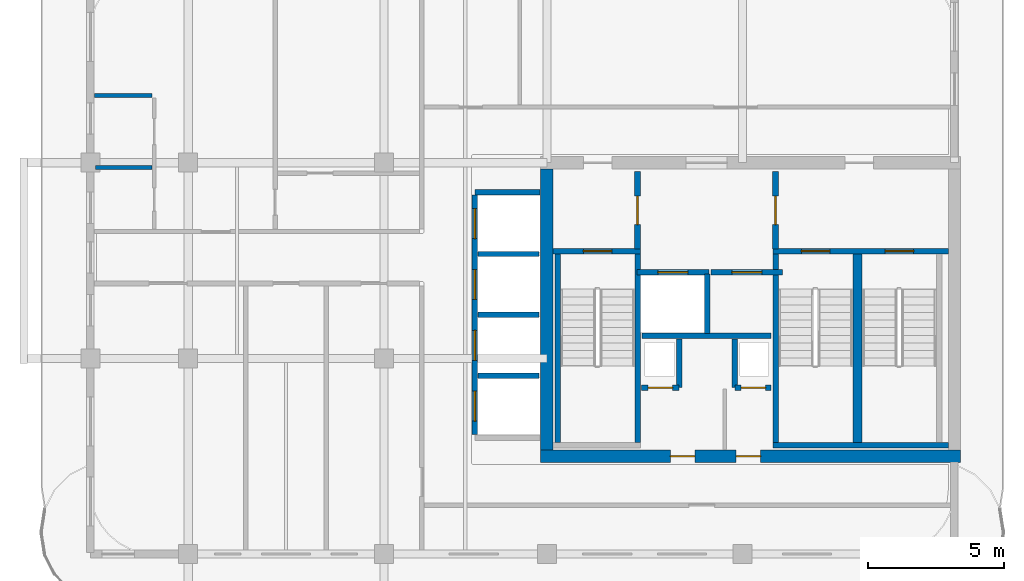
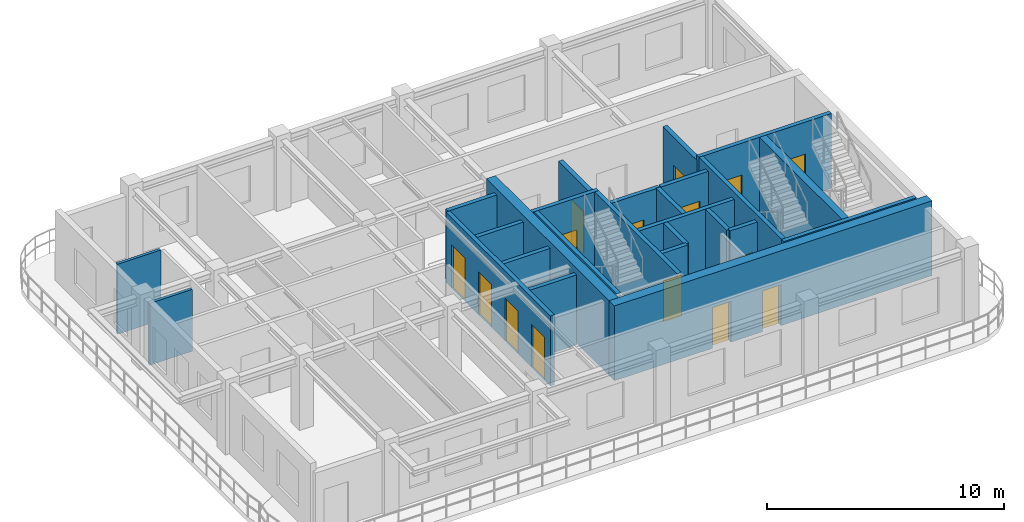
# One storey, part 3 of 7: 26 walls, 15 doors, 15 openings.
"""IFC4 building model written with IfcOpenShell, lengths in metres."""

from ifc_helpers import new_model, si_unit, derived_unit, direction, frame, frame_2d, origin, place, context, subcontext, project, spatial, rectangle, extrude, source, transform, mapped, material, layer, layer_set, type_object, type_shapes, element, fill, save


model = new_model("IFC4")

# Units and contexts
model_context = context("Model", 3, precision=1e-05, world=origin(), true_north=direction((0.0, 1.0)))
body_context = subcontext(model_context, "Body", "Model", "MODEL_VIEW")
ifc_project = project(units=[si_unit("LENGTHUNIT", "METRE"), si_unit("AREAUNIT", "SQUARE_METRE"), si_unit("VOLUMEUNIT", "CUBIC_METRE"), si_unit("PLANEANGLEUNIT", "RADIAN"), si_unit("MASSUNIT", "GRAM", prefix="KILO"), si_unit("THERMODYNAMICTEMPERATUREUNIT", "KELVIN"), si_unit("POWERUNIT", "WATT"), derived_unit("THERMALTRANSMITTANCEUNIT", [(si_unit("POWERUNIT", "WATT"), 1), (si_unit("AREAUNIT", "SQUARE_METRE"), -1), (si_unit("THERMODYNAMICTEMPERATUREUNIT", "KELVIN"), -1)])], contexts=[model_context])

# Site, building, storey
site_placement = place(None, origin())
site = spatial("IfcSite", under=ifc_project, at=site_placement, CompositionType="ELEMENT")
building_placement = place(site_placement, origin())
building = spatial("IfcBuilding", under=site, at=building_placement, Name="Zahravan Archway Hotel and Residences", CompositionType="ELEMENT")
storey_placement = place(building_placement, frame((0.0, 0.0, 275.050048828125)))
storey = spatial("IfcBuildingStorey", under=building, at=storey_placement, Name="L69", CompositionType="ELEMENT", Elevation=275.050048828125)

# Wall, openings, doors
ifc_material_1 = material(Name="Concrete C50/60", Category="concrete")
ifc_layer_1 = layer(ifc_material_1, 0.449951171875, Name="Concrete C50/60", Category="concrete")
ifc_layer_set_1 = layer_set([ifc_layer_1], Name="Concrete C50/60")
wall_type_1 = type_object("IfcWallType", Name="CW-CORE-450", PredefinedType="SHEAR", material=ifc_layer_set_1)
wall_1_placement = place(storey_placement, frame((34.574951171875, 3.60009765625, 0.0), z_axis=(0.0, 0.0, 1.0), x_axis=(1.0, 0.0, 0.0)))
wall_1 = element("IfcWall", 1, at=wall_1_placement, inside=storey, type_object=wall_type_1, Name="L69 Core A Shear S Wall 450 mm", PredefinedType="SHEAR", context=body_context, shape_type="SweptSolid", body=[
    extrude(rectangle(XDim=15.449951171875, YDim=0.449951171875, at=frame_2d((7.72509765625, 0.0))), origin(), (0.0, 0.0, 1.0), 3.849853515625),
])
opening_1_placement = place(wall_1_placement, frame((4.77490234375, 0.0, 0.0)))
opening_1 = element("IfcOpeningElement", 2, at=opening_1_placement, cuts=wall_1, Name="Opening FD-R1", PredefinedType="OPENING", context=body_context, shape_type="SweptSolid", body=[
    extrude(rectangle(XDim=0.89990234375, YDim=2.10009765625, at=frame_2d((0.449951171875, 1.050048828125))), frame((0.0, 0.23486328125, 0.0), z_axis=(0.0, -1.0, 0.0), x_axis=(1.0, 0.0, 0.0)), (0.0, 0.0, 1.0), 0.469970703125),
])
opening_2_placement = place(wall_1_placement, frame((7.195068359375, 0.0, 0.0)))
opening_2 = element("IfcOpeningElement", 3, at=opening_2_placement, cuts=wall_1, Name="Opening FD-R1", PredefinedType="OPENING", context=body_context, shape_type="SweptSolid", body=[
    extrude(rectangle(XDim=0.89990234375, YDim=2.10009765625, at=frame_2d((0.449951171875, 1.050048828125))), frame((0.0, 0.23486328125, 0.0), z_axis=(0.0, -1.0, 0.0), x_axis=(1.0, 0.0, 0.0)), (0.0, 0.0, 1.0), 0.469970703125),
])
ifc_material_2 = material(Name="Fire-Rated Painted Steel", Category="steel")
door_type_1 = type_object("IfcDoorType", Name="FD-RISER-900", OperationType="NOTDEFINED", PredefinedType="DOOR", material=ifc_material_2)
shared_shape_1 = source(origin(), body_context, "Body", "SweptSolid", [
    extrude(rectangle(XDim=0.89990234375, YDim=2.10009765625, at=frame_2d((0.449951171875, 1.050048828125))), frame((0.0, 0.02490234375, 0.0), z_axis=(0.0, -1.0, 0.0), x_axis=(1.0, 0.0, 0.0)), (0.0, 0.0, 1.0), 0.050048828125),
])
type_shapes(door_type_1, [shared_shape_1])
door_1_placement = place(opening_1_placement, origin())
door_1 = element("IfcDoor", 4, at=door_1_placement, inside=storey, type_object=door_type_1, Name="L69 Service Pantry Door", OperationType="SINGLE_SWING_LEFT", OverallHeight=2.10009765625, OverallWidth=0.89990234375, PredefinedType="DOOR", context=body_context, shape_type="MappedRepresentation", body=[
    mapped(shared_shape_1, transform((0.0, 0.0, 0.0), scale=1.0)),
])
fill(opening_1, door_1)
door_2_placement = place(opening_2_placement, origin())
door_2 = element("IfcDoor", 5, at=door_2_placement, inside=storey, type_object=door_type_1, Name="L69 Fibre ELV Riser Door", OperationType="SINGLE_SWING_RIGHT", OverallHeight=2.10009765625, OverallWidth=0.89990234375, PredefinedType="DOOR", context=body_context, shape_type="MappedRepresentation", body=[
    mapped(shared_shape_1, transform((0.0, 0.0, 0.0), scale=1.0)),
])
fill(opening_2, door_2)

# Wall
wall_2_placement = place(storey_placement, frame((34.800048828125, 3.824951171875, 0.0), z_axis=(0.0, 0.0, 1.0), x_axis=(0.0, 1.0, 0.0)))
element("IfcWall", 6, at=wall_2_placement, inside=storey, type_object=wall_type_1, Name="L69 Core A Shear W Wall 450 mm", PredefinedType="SHEAR", context=body_context, shape_type="SweptSolid", body=[
    extrude(rectangle(XDim=10.35009765625, YDim=0.449951171875, at=frame_2d((5.175048828125, 0.0))), origin(), (0.0, 0.0, 1.0), 3.849853515625),
])

# Wall, opening, door
ifc_material_3 = material(Name="Fire-Rated Gypsum & Concrete Block", Category="concrete")
ifc_layer_2 = layer(ifc_material_3, 0.219970703125, Name="Fire-Rated Gypsum & Concrete Block", Category="concrete")
ifc_layer_set_2 = layer_set([ifc_layer_2], Name="Fire-Rated Gypsum & Concrete Block")
wall_type_2 = type_object("IfcWallType", Name="PW-COMP-220", PredefinedType="PARTITIONING", material=ifc_layer_set_2)
wall_3_placement = place(storey_placement, frame((38.139892578125, 11.219970703125, 0.0), z_axis=(0.0, 0.0, 1.0), x_axis=(0.0, 1.0, 0.0)))
wall_3 = element("IfcWall", 7, at=wall_3_placement, inside=storey, type_object=wall_type_2, Name="L69 Partition CA-LOBW", PredefinedType="PARTITIONING", context=body_context, shape_type="SweptSolid", body=[
    extrude(rectangle(XDim=2.860107421875, YDim=0.219970703125, at=frame_2d((1.43017578125, 0.0))), origin(), (0.0, 0.0, 1.0), 3.599853515625),
])
opening_3_placement = place(wall_3_placement, frame((0.905029296875, 0.0, 0.0)))
opening_3 = element("IfcOpeningElement", 8, at=opening_3_placement, cuts=wall_3, Name="Opening FD-L2", PredefinedType="OPENING", context=body_context, shape_type="SweptSolid", body=[
    extrude(rectangle(XDim=1.050048828125, YDim=2.14990234375, at=frame_2d((0.52490234375, 1.074951171875))), frame((0.0, 0.1201171875, 0.0), z_axis=(0.0, -1.0, 0.0), x_axis=(1.0, 0.0, 0.0)), (0.0, 0.0, 1.0), 0.239990234375),
])
door_type_2 = type_object("IfcDoorType", Name="FD-LOBBY-1100", OperationType="NOTDEFINED", PredefinedType="DOOR", material=ifc_material_2)
shared_shape_2 = source(origin(), body_context, "Body", "SweptSolid", [
    extrude(rectangle(XDim=1.050048828125, YDim=2.14990234375, at=frame_2d((0.52490234375, 1.074951171875))), frame((0.0, 0.02490234375, 0.0), z_axis=(0.0, -1.0, 0.0), x_axis=(1.0, 0.0, 0.0)), (0.0, 0.0, 1.0), 0.050048828125),
])
type_shapes(door_type_2, [shared_shape_2])
door_3_placement = place(opening_3_placement, origin())
door_3 = element("IfcDoor", 9, at=door_3_placement, inside=storey, type_object=door_type_2, Name="L69 Core A West Stair to FSAE Lobby Door", OperationType="SINGLE_SWING_LEFT", OverallHeight=2.14990234375, OverallWidth=1.050048828125, PredefinedType="DOOR", context=body_context, shape_type="MappedRepresentation", body=[
    mapped(shared_shape_2, transform((0.0, 0.0, 0.0), scale=1.0)),
])
fill(opening_3, door_3)

wall_4_placement = place(storey_placement, frame((43.219970703125, 11.219970703125, 0.0), z_axis=(0.0, 0.0, 1.0), x_axis=(0.0, 1.0, 0.0)))
wall_4 = element("IfcWall", 10, at=wall_4_placement, inside=storey, type_object=wall_type_2, Name="L69 Partition CA-LOBE", PredefinedType="PARTITIONING", context=body_context, shape_type="SweptSolid", body=[
    extrude(rectangle(XDim=2.860107421875, YDim=0.219970703125, at=frame_2d((1.43017578125, 0.0))), origin(), (0.0, 0.0, 1.0), 3.599853515625),
])
opening_4_placement = place(wall_4_placement, frame((0.905029296875, 0.0, 0.0)))
opening_4 = element("IfcOpeningElement", 11, at=opening_4_placement, cuts=wall_4, Name="Opening FD-L2", PredefinedType="OPENING", context=body_context, shape_type="SweptSolid", body=[
    extrude(rectangle(XDim=1.050048828125, YDim=2.14990234375, at=frame_2d((0.52490234375, 1.074951171875))), frame((0.0, 0.1201171875, 0.0), z_axis=(0.0, -1.0, 0.0), x_axis=(1.0, 0.0, 0.0)), (0.0, 0.0, 1.0), 0.239990234375),
])
door_4_placement = place(opening_4_placement, origin())
door_4 = element("IfcDoor", 12, at=door_4_placement, inside=storey, type_object=door_type_2, Name="L69 Core A East Stair to FSAE Lobby Door", OperationType="SINGLE_SWING_RIGHT", OverallHeight=2.14990234375, OverallWidth=1.050048828125, PredefinedType="DOOR", context=body_context, shape_type="MappedRepresentation", body=[
    mapped(shared_shape_2, transform((0.0, 0.0, 0.0), scale=1.0)),
])
fill(opening_4, door_4)

# Walls
ifc_layer_3 = layer(ifc_material_3, 0.199951171875, Name="Fire-Rated Gypsum & Concrete Block", Category="concrete")
ifc_layer_set_3 = layer_set([ifc_layer_3], Name="Fire-Rated Gypsum & Concrete Block")
wall_type_3 = type_object("IfcWallType", Name="PW-SHAFT-200", PredefinedType="PARTITIONING", material=ifc_layer_set_3)
wall_5_placement = place(storey_placement, frame((38.300048828125, 8.030029296875, 0.0), z_axis=(0.0, 0.0, 1.0), x_axis=(1.0, 0.0, 0.0)))
element("IfcWall", 13, at=wall_5_placement, inside=storey, type_object=wall_type_3, Name="L69 Partition CA-FLS", PredefinedType="PARTITIONING", context=body_context, shape_type="SweptSolid", body=[
    extrude(rectangle(XDim=4.739990234375, YDim=0.199951171875, at=frame_2d((2.3701171875, 0.0))), origin(), (0.0, 0.0, 1.0), 3.599853515625),
])
wall_6_placement = place(storey_placement, frame((40.699951171875, 8.1201171875, 0.0), z_axis=(0.0, 0.0, 1.0), x_axis=(0.0, 1.0, 0.0)))
element("IfcWall", 14, at=wall_6_placement, inside=storey, type_object=wall_type_3, Name="L69 Partition CA-FLM", PredefinedType="PARTITIONING", context=body_context, shape_type="SweptSolid", body=[
    extrude(rectangle(XDim=2.179931640625, YDim=0.199951171875, at=frame_2d((1.08984375, 0.0))), origin(), (0.0, 0.0, 1.0), 3.599853515625),
])

# Wall, opening, door
wall_7_placement = place(storey_placement, frame((38.2900390625, 6.1201171875, 0.0), z_axis=(0.0, 0.0, 1.0), x_axis=(1.0, 0.0, 0.0)))
wall_7 = element("IfcWall", 15, at=wall_7_placement, inside=storey, type_object=wall_type_3, Name="L69 Partition CA-SMKS", PredefinedType="PARTITIONING", context=body_context, shape_type="SweptSolid", body=[
    extrude(rectangle(XDim=1.3798828125, YDim=0.199951171875, at=frame_2d((0.68994140625, 0.0))), origin(), (0.0, 0.0, 1.0), 3.599853515625),
])
opening_5_placement = place(wall_7_placement, frame((0.239990234375, 0.0, 0.0)))
opening_5 = element("IfcOpeningElement", 16, at=opening_5_placement, cuts=wall_7, Name="Opening FD-R1", PredefinedType="OPENING", context=body_context, shape_type="SweptSolid", body=[
    extrude(rectangle(XDim=0.89990234375, YDim=2.10009765625, at=frame_2d((0.449951171875, 1.050048828125))), frame((0.0, 0.10986328125, 0.0), z_axis=(0.0, -1.0, 0.0), x_axis=(1.0, 0.0, 0.0)), (0.0, 0.0, 1.0), 0.219970703125),
])
door_5_placement = place(opening_5_placement, origin())
door_5 = element("IfcDoor", 17, at=door_5_placement, inside=storey, type_object=door_type_1, Name="L69 Smoke Riser Access Door", OperationType="SINGLE_SWING_LEFT", OverallHeight=2.10009765625, OverallWidth=0.89990234375, PredefinedType="DOOR", context=body_context, shape_type="MappedRepresentation", body=[
    mapped(shared_shape_1, transform((0.0, 0.0, 0.0), scale=1.0)),
])
fill(opening_5, door_5)

# Wall
wall_8_placement = place(storey_placement, frame((39.679931640625, 6.1298828125, 0.0), z_axis=(0.0, 0.0, 1.0), x_axis=(0.0, 1.0, 0.0)))
element("IfcWall", 18, at=wall_8_placement, inside=storey, type_object=wall_type_3, Name="L69 Partition CA-SMKE", PredefinedType="PARTITIONING", context=body_context, shape_type="SweptSolid", body=[
    extrude(rectangle(XDim=1.7900390625, YDim=0.199951171875, at=frame_2d((0.89501953125, 0.0))), origin(), (0.0, 0.0, 1.0), 3.599853515625),
])

# Wall, opening, door
wall_9_placement = place(storey_placement, frame((41.72998046875, 6.1201171875, 0.0), z_axis=(0.0, 0.0, 1.0), x_axis=(1.0, 0.0, 0.0)))
wall_9 = element("IfcWall", 19, at=wall_9_placement, inside=storey, type_object=wall_type_3, Name="L69 Partition CA-MEPS", PredefinedType="PARTITIONING", context=body_context, shape_type="SweptSolid", body=[
    extrude(rectangle(XDim=1.320068359375, YDim=0.199951171875, at=frame_2d((0.66015625, 0.0))), origin(), (0.0, 0.0, 1.0), 3.599853515625),
])
opening_6_placement = place(wall_9_placement, frame((0.219970703125, 0.0, 0.0)))
opening_6 = element("IfcOpeningElement", 20, at=opening_6_placement, cuts=wall_9, Name="Opening FD-R1", PredefinedType="OPENING", context=body_context, shape_type="SweptSolid", body=[
    extrude(rectangle(XDim=0.89990234375, YDim=2.10009765625, at=frame_2d((0.449951171875, 1.050048828125))), frame((0.0, 0.10986328125, 0.0), z_axis=(0.0, -1.0, 0.0), x_axis=(1.0, 0.0, 0.0)), (0.0, 0.0, 1.0), 0.219970703125),
])
door_6_placement = place(opening_6_placement, origin())
door_6 = element("IfcDoor", 21, at=door_6_placement, inside=storey, type_object=door_type_1, Name="L69 MEP Riser Access Door", OperationType="SINGLE_SWING_RIGHT", OverallHeight=2.10009765625, OverallWidth=0.89990234375, PredefinedType="DOOR", context=body_context, shape_type="MappedRepresentation", body=[
    mapped(shared_shape_1, transform((0.0, 0.0, 0.0), scale=1.0)),
])
fill(opening_6, door_6)

# Walls
wall_10_placement = place(storey_placement, frame((41.719970703125, 6.1298828125, 0.0), z_axis=(0.0, 0.0, 1.0), x_axis=(0.0, 1.0, 0.0)))
element("IfcWall", 22, at=wall_10_placement, inside=storey, type_object=wall_type_3, Name="L69 Partition CA-MEPW", PredefinedType="PARTITIONING", context=body_context, shape_type="SweptSolid", body=[
    extrude(rectangle(XDim=1.7900390625, YDim=0.199951171875, at=frame_2d((0.89501953125, 0.0))), origin(), (0.0, 0.0, 1.0), 3.599853515625),
])
wall_11_placement = place(storey_placement, frame((32.159912109375, 13.320068359375, 0.0), z_axis=(0.0, 0.0, 1.0), x_axis=(1.0, 0.0, 0.0)))
element("IfcWall", 23, at=wall_11_placement, inside=storey, type_object=wall_type_3, Name="L69 Partition B3-N", PredefinedType="PARTITIONING", context=body_context, shape_type="SweptSolid", body=[
    extrude(rectangle(XDim=2.385009765625, YDim=0.199951171875, at=frame_2d((1.1923828125, 0.0))), origin(), (0.0, 0.0, 1.0), 3.599853515625),
])

# Wall, openings, doors
wall_12_placement = place(storey_placement, frame((32.14990234375, 4.389892578125, 0.0), z_axis=(0.0, 0.0, 1.0), x_axis=(0.0, 1.0, 0.0)))
wall_12 = element("IfcWall", 24, at=wall_12_placement, inside=storey, type_object=wall_type_3, Name="L69 Partition B3-W", PredefinedType="PARTITIONING", context=body_context, shape_type="SweptSolid", body=[
    extrude(rectangle(XDim=8.820068359375, YDim=0.199951171875, at=frame_2d((4.41015625, 0.0))), origin(), (0.0, 0.0, 1.0), 3.599853515625),
])
opening_7_placement = place(wall_12_placement, frame((0.5, 0.0, 0.0)))
opening_7 = element("IfcOpeningElement", 25, at=opening_7_placement, cuts=wall_12, Name="Opening LD", PredefinedType="OPENING", context=body_context, shape_type="SweptSolid", body=[
    extrude(rectangle(XDim=1.10009765625, YDim=2.199951171875, at=frame_2d((0.550048828125, 1.10009765625))), frame((0.0, 0.10986328125, 0.0), z_axis=(0.0, -1.0, 0.0), x_axis=(1.0, 0.0, 0.0)), (0.0, 0.0, 1.0), 0.219970703125),
])
opening_8_placement = place(wall_12_placement, frame((2.739990234375, 0.0, 0.0)))
opening_8 = element("IfcOpeningElement", 26, at=opening_8_placement, cuts=wall_12, Name="Opening LD", PredefinedType="OPENING", context=body_context, shape_type="SweptSolid", body=[
    extrude(rectangle(XDim=1.10009765625, YDim=2.199951171875, at=frame_2d((0.550048828125, 1.10009765625))), frame((0.0, 0.10986328125, 0.0), z_axis=(0.0, -1.0, 0.0), x_axis=(1.0, 0.0, 0.0)), (0.0, 0.0, 1.0), 0.219970703125),
])
opening_9_placement = place(wall_12_placement, frame((4.97998046875, 0.0, 0.0)))
opening_9 = element("IfcOpeningElement", 27, at=opening_9_placement, cuts=wall_12, Name="Opening LD", PredefinedType="OPENING", context=body_context, shape_type="SweptSolid", body=[
    extrude(rectangle(XDim=1.10009765625, YDim=2.199951171875, at=frame_2d((0.550048828125, 1.10009765625))), frame((0.0, 0.10986328125, 0.0), z_axis=(0.0, -1.0, 0.0), x_axis=(1.0, 0.0, 0.0)), (0.0, 0.0, 1.0), 0.219970703125),
])
opening_10_placement = place(wall_12_placement, frame((7.219970703125, 0.0, 0.0)))
opening_10 = element("IfcOpeningElement", 28, at=opening_10_placement, cuts=wall_12, Name="Opening LD", PredefinedType="OPENING", context=body_context, shape_type="SweptSolid", body=[
    extrude(rectangle(XDim=1.10009765625, YDim=2.199951171875, at=frame_2d((0.550048828125, 1.10009765625))), frame((0.0, 0.10986328125, 0.0), z_axis=(0.0, -1.0, 0.0), x_axis=(1.0, 0.0, 0.0)), (0.0, 0.0, 1.0), 0.219970703125),
])
ifc_material_4 = material(Name="Brushed Stainless Steel", Category="steel")
door_type_3 = type_object("IfcDoorType", Name="DR-LIFT-LD", OperationType="SLIDING_TO_LEFT", PredefinedType="DOOR", material=ifc_material_4)
shared_shape_3 = source(origin(), body_context, "Body", "SweptSolid", [
    extrude(rectangle(XDim=1.10009765625, YDim=2.199951171875, at=frame_2d((0.550048828125, 1.10009765625))), frame((0.0, 0.02490234375, 0.0), z_axis=(0.0, -1.0, 0.0), x_axis=(1.0, 0.0, 0.0)), (0.0, 0.0, 1.0), 0.050048828125),
])
type_shapes(door_type_3, [shared_shape_3])
door_7_placement = place(opening_7_placement, origin())
door_7 = element("IfcDoor", 29, at=door_7_placement, inside=storey, type_object=door_type_3, Name="L69 Lift LP-7 Sliding Landing Door", OperationType="SLIDING_TO_LEFT", OverallHeight=2.199951171875, OverallWidth=1.10009765625, PredefinedType="DOOR", context=body_context, shape_type="MappedRepresentation", body=[
    mapped(shared_shape_3, transform((0.0, 0.0, 0.0), scale=1.0)),
])
fill(opening_7, door_7)
door_8_placement = place(opening_8_placement, origin())
door_8 = element("IfcDoor", 30, at=door_8_placement, inside=storey, type_object=door_type_3, Name="L69 Lift LP-8 Sliding Landing Door", OperationType="SLIDING_TO_LEFT", OverallHeight=2.199951171875, OverallWidth=1.10009765625, PredefinedType="DOOR", context=body_context, shape_type="MappedRepresentation", body=[
    mapped(shared_shape_3, transform((0.0, 0.0, 0.0), scale=1.0)),
])
fill(opening_8, door_8)
door_9_placement = place(opening_9_placement, origin())
door_9 = element("IfcDoor", 31, at=door_9_placement, inside=storey, type_object=door_type_3, Name="L69 Lift LP-9 Sliding Landing Door", OperationType="SLIDING_TO_LEFT", OverallHeight=2.199951171875, OverallWidth=1.10009765625, PredefinedType="DOOR", context=body_context, shape_type="MappedRepresentation", body=[
    mapped(shared_shape_3, transform((0.0, 0.0, 0.0), scale=1.0)),
])
fill(opening_9, door_9)
door_10_placement = place(opening_10_placement, origin())
door_10 = element("IfcDoor", 32, at=door_10_placement, inside=storey, type_object=door_type_3, Name="L69 Lift LP-10 Sliding Landing Door", OperationType="SLIDING_TO_LEFT", OverallHeight=2.199951171875, OverallWidth=1.10009765625, PredefinedType="DOOR", context=body_context, shape_type="MappedRepresentation", body=[
    mapped(shared_shape_3, transform((0.0, 0.0, 0.0), scale=1.0)),
])
fill(opening_10, door_10)

# Walls
for number, where, z_axis, x_axis, name in (
    (33, (32.260009765625, 6.56005859375, 0.0), (0.0, 0.0, 1.0), (1.0, 0.0, 0.0), "L69 Partition B3-D"),
    (34, (32.260009765625, 8.800048828125, 0.0), (0.0, 0.0, 1.0), (1.0, 0.0, 0.0), "L69 Partition B3-D"),
    (35, (32.260009765625, 11.0400390625, 0.0), (0.0, 0.0, 1.0), (1.0, 0.0, 0.0), "L69 Partition B3-D"),
):
    element("IfcWall", number, at=place(storey_placement, frame(where, z_axis=z_axis, x_axis=x_axis)), inside=storey, type_object=wall_type_3, Name=name, PredefinedType="PARTITIONING", context=body_context, shape_type="SweptSolid", body=[
        extrude(rectangle(XDim=2.2548828125, YDim=0.199951171875, at=frame_2d((1.12744140625, 0.0))), origin(), (0.0, 0.0, 1.0), 3.599853515625),
    ])

# Wall, opening, door
wall_13_placement = place(storey_placement, frame((38.1201171875, 10.3701171875, 0.0), z_axis=(0.0, 0.0, 1.0), x_axis=(1.0, 0.0, 0.0)))
wall_13 = element("IfcWall", 36, at=wall_13_placement, inside=storey, type_object=wall_type_3, Name="L69 Lift FL-1 Front Wall", PredefinedType="PARTITIONING", context=body_context, shape_type="SweptSolid", body=[
    extrude(rectangle(XDim=2.639892578125, YDim=0.199951171875, at=frame_2d((1.31982421875, 0.0))), origin(), (0.0, 0.0, 1.0), 3.599853515625),
])
opening_11_placement = place(wall_13_placement, frame((0.77001953125, 0.0, 0.0)))
opening_11 = element("IfcOpeningElement", 37, at=opening_11_placement, cuts=wall_13, Name="Opening LD", PredefinedType="OPENING", context=body_context, shape_type="SweptSolid", body=[
    extrude(rectangle(XDim=1.10009765625, YDim=2.199951171875, at=frame_2d((0.550048828125, 1.10009765625))), frame((0.0, 0.10986328125, 0.0), z_axis=(0.0, -1.0, 0.0), x_axis=(1.0, 0.0, 0.0)), (0.0, 0.0, 1.0), 0.219970703125),
])
door_11_placement = place(opening_11_placement, origin())
door_11 = element("IfcDoor", 38, at=door_11_placement, inside=storey, type_object=door_type_3, Name="L69 Lift FL-1 Sliding Landing Door", OperationType="SLIDING_TO_LEFT", OverallHeight=2.199951171875, OverallWidth=1.10009765625, PredefinedType="DOOR", context=body_context, shape_type="MappedRepresentation", body=[
    mapped(shared_shape_3, transform((0.0, 0.0, 0.0), scale=1.0)),
])
fill(opening_11, door_11)

wall_14_placement = place(storey_placement, frame((40.840087890625, 10.3701171875, 0.0), z_axis=(0.0, 0.0, 1.0), x_axis=(1.0, 0.0, 0.0)))
wall_14 = element("IfcWall", 39, at=wall_14_placement, inside=storey, type_object=wall_type_3, Name="L69 Lift FL-2 Front Wall", PredefinedType="PARTITIONING", context=body_context, shape_type="SweptSolid", body=[
    extrude(rectangle(XDim=2.639892578125, YDim=0.199951171875, at=frame_2d((1.31982421875, 0.0))), origin(), (0.0, 0.0, 1.0), 3.599853515625),
])
opening_12_placement = place(wall_14_placement, frame((0.77001953125, 0.0, 0.0)))
opening_12 = element("IfcOpeningElement", 40, at=opening_12_placement, cuts=wall_14, Name="Opening LD", PredefinedType="OPENING", context=body_context, shape_type="SweptSolid", body=[
    extrude(rectangle(XDim=1.10009765625, YDim=2.199951171875, at=frame_2d((0.550048828125, 1.10009765625))), frame((0.0, 0.10986328125, 0.0), z_axis=(0.0, -1.0, 0.0), x_axis=(1.0, 0.0, 0.0)), (0.0, 0.0, 1.0), 0.219970703125),
])
door_12_placement = place(opening_12_placement, origin())
door_12 = element("IfcDoor", 41, at=door_12_placement, inside=storey, type_object=door_type_3, Name="L69 Lift FL-2 Sliding Landing Door", OperationType="SLIDING_TO_LEFT", OverallHeight=2.199951171875, OverallWidth=1.10009765625, PredefinedType="DOOR", context=body_context, shape_type="MappedRepresentation", body=[
    mapped(shared_shape_3, transform((0.0, 0.0, 0.0), scale=1.0)),
])
fill(opening_12, door_12)

# Walls
ifc_material_5 = material(Name="Moisture-Resistant Blockwork", Category="masonry")
ifc_layer_4 = layer(ifc_material_5, 0.139892578125, Name="Moisture-Resistant Blockwork", Category="masonry")
ifc_layer_set_4 = layer_set([ifc_layer_4], Name="Moisture-Resistant Blockwork")
wall_type_4 = type_object("IfcWallType", Name="PW-WET-140", PredefinedType="PARTITIONING", material=ifc_layer_set_4)
wall_15_placement = place(storey_placement, frame((18.18994140625, 14.219970703125, 0.0), z_axis=(0.0, 0.0, 1.0), x_axis=(1.0, 0.0, 0.0)))
element("IfcWall", 42, at=wall_15_placement, inside=storey, type_object=wall_type_4, Name="L69 Partition FL-N1-BM", PredefinedType="PARTITIONING", context=body_context, shape_type="SweptSolid", body=[
    extrude(rectangle(XDim=2.070068359375, YDim=0.139892578125, at=frame_2d((1.03515625, 0.0))), origin(), (0.0, 0.0, 1.0), 3.18505859375),
])
wall_16_placement = place(storey_placement, frame((18.14794921875, 16.8701171875, 0.0), z_axis=(0.0, 0.0, 1.0), x_axis=(1.0, 0.0, 0.0)))
element("IfcWall", 43, at=wall_16_placement, inside=storey, type_object=wall_type_4, Name="L69 Partition FL-N1-KH", PredefinedType="PARTITIONING", context=body_context, shape_type="SweptSolid", body=[
    extrude(rectangle(XDim=2.112060546875, YDim=0.139892578125, at=frame_2d((1.05615234375, 0.0))), origin(), (0.0, 0.0, 1.0), 3.599853515625),
])
ifc_layer_5 = layer(ifc_material_1, 0.199951171875, Name="Concrete C50/60", Category="concrete")
ifc_layer_set_5 = layer_set([ifc_layer_5], Name="Concrete C50/60")
wall_type_5 = type_object("IfcWallType", Name="SW-STAIR-200", PredefinedType="SHEAR", material=ifc_layer_set_5)
for number, where, z_axis, x_axis, name in (
    (44, (35.199951171875, 4.10009765625, 0.0), (0.0, 0.0, 1.0), (0.0, 1.0, 0.0), "L69 Stairwell RC Wall CA-SA1W"),
    (45, (38.139892578125, 4.10009765625, 0.0), (0.0, 0.0, 1.0), (0.0, 1.0, 0.0), "L69 Stairwell RC Wall CA-SA1E"),
):
    element("IfcWall", number, at=place(storey_placement, frame(where, z_axis=z_axis, x_axis=x_axis)), inside=storey, type_object=wall_type_5, Name=name, PredefinedType="SHEAR", context=body_context, shape_type="SweptSolid", body=[
        extrude(rectangle(XDim=6.949951171875, YDim=0.199951171875, at=frame_2d((3.47509765625, 0.0))), origin(), (0.0, 0.0, 1.0), 3.849853515625),
    ])

# Wall, opening, door
wall_17_placement = place(storey_placement, frame((35.02490234375, 11.14990234375, 0.0), z_axis=(0.0, 0.0, 1.0), x_axis=(1.0, 0.0, 0.0)))
wall_17 = element("IfcWall", 46, at=wall_17_placement, inside=storey, type_object=wall_type_5, Name="L69 Stairwell RC Wall CA-SA1N", PredefinedType="SHEAR", context=body_context, shape_type="SweptSolid", body=[
    extrude(rectangle(XDim=3.215087890625, YDim=0.199951171875, at=frame_2d((1.607421875, 0.0))), origin(), (0.0, 0.0, 1.0), 3.849853515625),
])
opening_13_placement = place(wall_17_placement, frame((1.1201171875, 0.0, 0.0)))
opening_13 = element("IfcOpeningElement", 47, at=opening_13_placement, cuts=wall_17, Name="Opening FD-S1", PredefinedType="OPENING", context=body_context, shape_type="SweptSolid", body=[
    extrude(rectangle(XDim=1.050048828125, YDim=2.199951171875, at=frame_2d((0.52490234375, 1.10009765625))), frame((0.0, 0.10986328125, 0.0), z_axis=(0.0, -1.0, 0.0), x_axis=(1.0, 0.0, 0.0)), (0.0, 0.0, 1.0), 0.219970703125),
])
door_type_4 = type_object("IfcDoorType", Name="FD-STAIR-1100", OperationType="NOTDEFINED", PredefinedType="DOOR", material=ifc_material_2)
shared_shape_4 = source(origin(), body_context, "Body", "SweptSolid", [
    extrude(rectangle(XDim=1.050048828125, YDim=2.199951171875, at=frame_2d((0.52490234375, 1.10009765625))), frame((0.0, 0.02490234375, 0.0), z_axis=(0.0, -1.0, 0.0), x_axis=(1.0, 0.0, 0.0)), (0.0, 0.0, 1.0), 0.050048828125),
])
type_shapes(door_type_4, [shared_shape_4])
door_13_placement = place(opening_13_placement, origin())
door_13 = element("IfcDoor", 48, at=door_13_placement, inside=storey, type_object=door_type_4, Name="L69 Stair ST-A1 Door", OperationType="SINGLE_SWING_RIGHT", OverallHeight=2.199951171875, OverallWidth=1.050048828125, PredefinedType="DOOR", context=body_context, shape_type="MappedRepresentation", body=[
    mapped(shared_shape_4, transform((0.0, 0.0, 0.0), scale=1.0)),
])
fill(opening_13, door_13)

# Walls
wall_18_placement = place(storey_placement, frame((43.1201171875, 4.0, 0.0), z_axis=(0.0, 0.0, 1.0), x_axis=(1.0, 0.0, 0.0)))
element("IfcWall", 49, at=wall_18_placement, inside=storey, type_object=wall_type_5, Name="L69 Stairwell RC Wall CA-SA23S", PredefinedType="SHEAR", context=body_context, shape_type="SweptSolid", body=[
    extrude(rectangle(XDim=6.454833984375, YDim=0.199951171875, at=frame_2d((3.2275390625, 0.0))), origin(), (0.0, 0.0, 1.0), 3.849853515625),
])
wall_19_placement = place(storey_placement, frame((43.219970703125, 4.10009765625, 0.0), z_axis=(0.0, 0.0, 1.0), x_axis=(0.0, 1.0, 0.0)))
element("IfcWall", 50, at=wall_19_placement, inside=storey, type_object=wall_type_5, Name="L69 Stairwell RC Wall CA-SA2W", PredefinedType="SHEAR", context=body_context, shape_type="SweptSolid", body=[
    extrude(rectangle(XDim=6.949951171875, YDim=0.199951171875, at=frame_2d((3.47509765625, 0.0))), origin(), (0.0, 0.0, 1.0), 3.849853515625),
])

# Wall, openings, doors
wall_20_placement = place(storey_placement, frame((43.1201171875, 11.14990234375, 0.0), z_axis=(0.0, 0.0, 1.0), x_axis=(1.0, 0.0, 0.0)))
wall_20 = element("IfcWall", 51, at=wall_20_placement, inside=storey, type_object=wall_type_5, Name="L69 Stairwell RC Wall CA-SA23N", PredefinedType="SHEAR", context=body_context, shape_type="SweptSolid", body=[
    extrude(rectangle(XDim=6.454833984375, YDim=0.199951171875, at=frame_2d((3.2275390625, 0.0))), origin(), (0.0, 0.0, 1.0), 3.849853515625),
])
opening_14_placement = place(wall_20_placement, frame((1.044921875, 0.0, 0.0)))
opening_14 = element("IfcOpeningElement", 52, at=opening_14_placement, cuts=wall_20, Name="Opening FD-S1", PredefinedType="OPENING", context=body_context, shape_type="SweptSolid", body=[
    extrude(rectangle(XDim=1.050048828125, YDim=2.199951171875, at=frame_2d((0.52490234375, 1.10009765625))), frame((0.0, 0.10986328125, 0.0), z_axis=(0.0, -1.0, 0.0), x_axis=(1.0, 0.0, 0.0)), (0.0, 0.0, 1.0), 0.219970703125),
])
opening_15_placement = place(wall_20_placement, frame((4.125, 0.0, 0.0)))
opening_15 = element("IfcOpeningElement", 53, at=opening_15_placement, cuts=wall_20, Name="Opening FD-S1", PredefinedType="OPENING", context=body_context, shape_type="SweptSolid", body=[
    extrude(rectangle(XDim=1.050048828125, YDim=2.199951171875, at=frame_2d((0.52490234375, 1.10009765625))), frame((0.0, 0.10986328125, 0.0), z_axis=(0.0, -1.0, 0.0), x_axis=(1.0, 0.0, 0.0)), (0.0, 0.0, 1.0), 0.219970703125),
])
door_14_placement = place(opening_14_placement, origin())
door_14 = element("IfcDoor", 54, at=door_14_placement, inside=storey, type_object=door_type_4, Name="L69 Stair ST-A2 Door", OperationType="SINGLE_SWING_LEFT", OverallHeight=2.199951171875, OverallWidth=1.050048828125, PredefinedType="DOOR", context=body_context, shape_type="MappedRepresentation", body=[
    mapped(shared_shape_4, transform((0.0, 0.0, 0.0), scale=1.0)),
])
fill(opening_14, door_14)
door_15_placement = place(opening_15_placement, origin())
door_15 = element("IfcDoor", 55, at=door_15_placement, inside=storey, type_object=door_type_4, Name="L69 Stair ST-A3 Door", OperationType="SINGLE_SWING_RIGHT", OverallHeight=2.199951171875, OverallWidth=1.050048828125, PredefinedType="DOOR", context=body_context, shape_type="MappedRepresentation", body=[
    mapped(shared_shape_4, transform((0.0, 0.0, 0.0), scale=1.0)),
])
fill(opening_15, door_15)

# Wall
ifc_layer_6 = layer(ifc_material_1, 0.340087890625, Name="Concrete C50/60", Category="concrete")
ifc_layer_set_6 = layer_set([ifc_layer_6], Name="Concrete C50/60")
wall_type_6 = type_object("IfcWallType", Name="SW-STAIR-340", PredefinedType="SHEAR", material=ifc_layer_set_6)
wall_21_placement = place(storey_placement, frame((46.22998046875, 4.10009765625, 0.0), z_axis=(0.0, 0.0, 1.0), x_axis=(0.0, 1.0, 0.0)))
element("IfcWall", 56, at=wall_21_placement, inside=storey, type_object=wall_type_6, Name="L69 Stairwell RC Wall CA-SA23M", PredefinedType="SHEAR", context=body_context, shape_type="SweptSolid", body=[
    extrude(rectangle(XDim=6.949951171875, YDim=0.340087890625, at=frame_2d((3.47509765625, 0.0))), origin(), (0.0, 0.0, 1.0), 3.849853515625),
])

save(model, "model.ifc")
